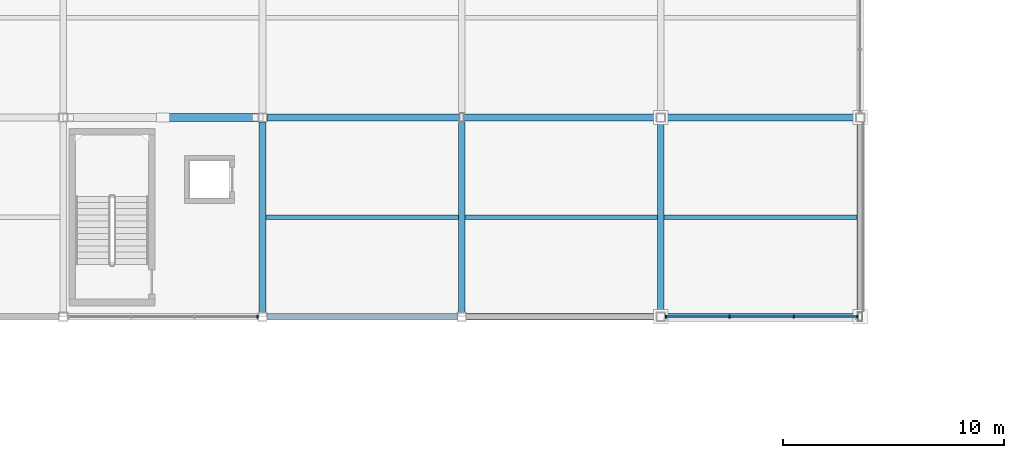
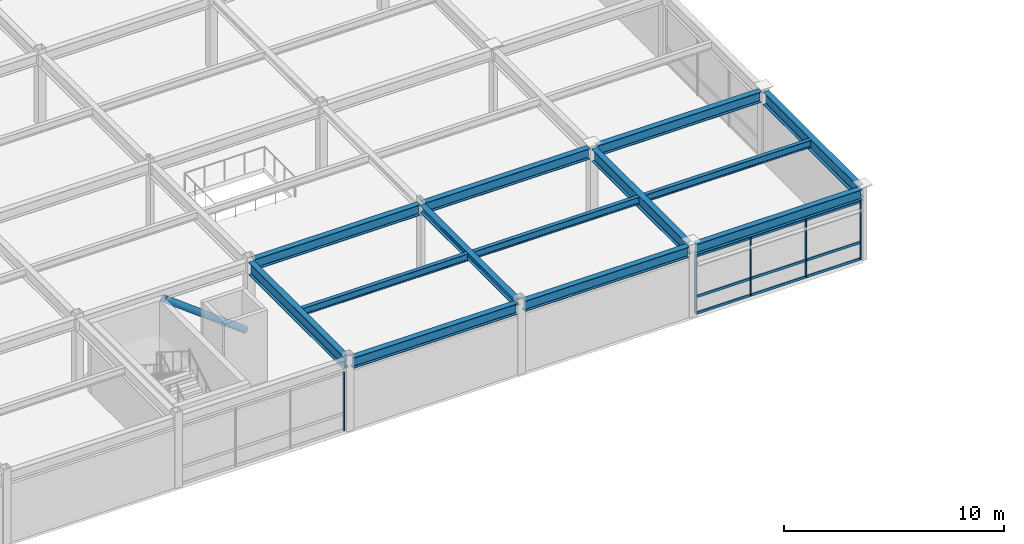
# One storey, part 28 of 70: 15 members, 13 beams, 2 elements without a shape of their own.
"""IFC4 building model written with IfcOpenShell, lengths in metres."""

import ifcopenshell
import ifcopenshell.guid

model = None  # the IFC model being written
_history = None  # IfcOwnerHistory: only IFC2X3 demands one
_inside = {}  # id of a spatial element -> (the spatial element, [elements in it])
_under = {}  # id of a project, library or spatial element -> (it, [spatial elements below it])
_declared = {}  # id of a project -> (the project, [libraries it declares])
_typed = {}  # id of a type object -> (the type object, [elements of that type])
_made_of = {}  # id of a material, layer set ... -> (it, [elements and type objects made of it])


def new_model(schema):
    """Start an empty IFC model of exactly this schema.

    Asked for "IFC4X3", IfcOpenShell would pick the latest addendum, in which some entities
    have other attributes; the version numbers below select the first issue.
    IFC2X3 requires an IfcOwnerHistory on every rooted entity: one is made here for all.
    """
    global model, _history
    if schema == "IFC4X3":
        model = ifcopenshell.file(schema_version=(4, 3, 0, 0))
    else:
        model = ifcopenshell.file(schema=schema)
    _inside.clear()
    _under.clear()
    _declared.clear()
    _typed.clear()
    _made_of.clear()
    _history = None
    if model.schema == "IFC2X3":
        org = make("IfcOrganization", Name="unknown")
        user = make(
            "IfcPersonAndOrganization",
            ThePerson=make("IfcPerson", FamilyName="unknown"),
            TheOrganization=org,
        )
        app = make(
            "IfcApplication",
            ApplicationDeveloper=org,
            Version="unknown",
            ApplicationFullName="unknown",
            ApplicationIdentifier="unknown",
        )
        _history = make(
            "IfcOwnerHistory",
            OwningUser=user,
            OwningApplication=app,
            ChangeAction="ADDED",
            CreationDate=0,
        )
    return model


def make(cls, **values):
    """One entity of the class cls with the attributes given. An attribute that is None is left unset."""
    return model.create_entity(
        cls, **{name: value for name, value in values.items() if value is not None}
    )


def rooted(cls, **values):
    """An entity with a GlobalId (a new one), such as an element, a storey or a relation."""
    return make(cls, GlobalId=ifcopenshell.guid.new(), OwnerHistory=_history, **values)


def si_unit(unit_type, name, prefix=None):
    """IfcSIUnit, for example si_unit("LENGTHUNIT", "METRE", prefix="MILLI")."""
    return make("IfcSIUnit", UnitType=unit_type, Prefix=prefix, Name=name)


def assignment(units):
    """IfcUnitAssignment: the units of a project."""
    return None if units is None else make("IfcUnitAssignment", Units=units)


def point(xyz):
    """IfcCartesianPoint."""
    return None if xyz is None else make("IfcCartesianPoint", Coordinates=xyz)


def direction(xyz):
    """IfcDirection."""
    return None if xyz is None else make("IfcDirection", DirectionRatios=xyz)


def frame(location, z_axis=None, x_axis=None):
    """IfcAxis2Placement3D, a coordinate frame: its origin and axes. An axis left out is left unset."""
    return make(
        "IfcAxis2Placement3D",
        Location=point(location),
        Axis=direction(z_axis),
        RefDirection=direction(x_axis),
    )


def frame_2d(location, x_axis=None):
    """IfcAxis2Placement2D, a coordinate frame in the plane: its origin and x axis."""
    return make(
        "IfcAxis2Placement2D", Location=point(location), RefDirection=direction(x_axis)
    )


def origin():
    """The frame at (0, 0, 0) with its axes left unset."""
    return frame((0.0, 0.0, 0.0))


def origin_2d():
    """The frame at (0, 0) in the plane with its x axis left unset."""
    return frame_2d((0.0, 0.0))


def place(relative_to, where):
    """IfcLocalPlacement: puts the frame where relative to a parent placement (None: the world)."""
    return make(
        "IfcLocalPlacement", PlacementRelTo=relative_to, RelativePlacement=where
    )


def context(
    kind, dimensions, precision=None, world=None, true_north=None, identifier=None
):
    """IfcGeometricRepresentationContext, for example the 3D "Model" context."""
    return make(
        "IfcGeometricRepresentationContext",
        ContextIdentifier=identifier,
        ContextType=kind,
        CoordinateSpaceDimension=dimensions,
        Precision=precision,
        WorldCoordinateSystem=world,
        TrueNorth=true_north,
    )


def subcontext(parent, identifier, kind, view, scale=None):
    """IfcGeometricRepresentationSubContext, for example "Body" below "Model"."""
    return make(
        "IfcGeometricRepresentationSubContext",
        ContextIdentifier=identifier,
        ContextType=kind,
        ParentContext=parent,
        TargetScale=scale,
        TargetView=view,
    )


def project(units=None, contexts=None):
    """IfcProject with its units and contexts."""
    return rooted(
        "IfcProject",
        Name="project",
        RepresentationContexts=contexts,
        UnitsInContext=assignment(units),
    )


def spatial(cls, under=None, at=None, **own):
    """A site, building, storey or space (cls), placed at a placement, below another one or the project."""
    s = rooted(cls, ObjectPlacement=at, **own)
    if under is not None:
        _under.setdefault(under.id(), (under, []))[1].append(s)
    return s


def profile(cls, at=None, kind="AREA", **sizes):
    """A parametric profile (cls). Its sizes go by their IFC names, for example OverallWidth=200.0."""
    return make(cls, ProfileType=kind, Position=at, **sizes)


def rectangle(**sizes):
    """IfcRectangleProfileDef."""
    return profile("IfcRectangleProfileDef", **sizes)


def hollow_circle(**sizes):
    """IfcCircleHollowProfileDef."""
    return profile("IfcCircleHollowProfileDef", **sizes)


def i_section(**sizes):
    """IfcIShapeProfileDef."""
    return profile("IfcIShapeProfileDef", **sizes)


def extrude(swept, where, along, depth):
    """IfcExtrudedAreaSolid: the profile swept, set in the frame where, extruded along a direction by depth."""
    return make(
        "IfcExtrudedAreaSolid",
        SweptArea=swept,
        Position=where,
        ExtrudedDirection=direction(along),
        Depth=depth,
    )


def shape(context_of_items, identifier, shape_type, items):
    """IfcShapeRepresentation: the items that make up one representation, for example the "Body"."""
    return make(
        "IfcShapeRepresentation",
        ContextOfItems=context_of_items,
        RepresentationIdentifier=identifier,
        RepresentationType=shape_type,
        Items=items,
    )


def material(Name=None, Category=None):
    """IfcMaterial."""
    return make("IfcMaterial", Name=Name, Category=Category)


def material_profile(
    of_material, cross_section, Name=None, Category=None, Priority=None
):
    """IfcMaterialProfile: a cross section and its material."""
    return make(
        "IfcMaterialProfile",
        Name=Name,
        Material=of_material,
        Profile=cross_section,
        Priority=Priority,
        Category=Category,
    )


def profile_set(profiles, Name=None, composite=None):
    """IfcMaterialProfileSet."""
    return make(
        "IfcMaterialProfileSet",
        Name=Name,
        MaterialProfiles=profiles,
        CompositeProfile=composite,
    )


def made_of(thing, what):
    """Note that an element or type object is made of a material, layer set ...; save() writes the relation."""
    if what is not None:
        _made_of.setdefault(what.id(), (what, []))[1].append(thing)
    return thing


def type_object(cls, material=None, **own):
    """A type object (cls), such as IfcWallType, which elements share."""
    return made_of(rooted(cls, **own), material)


def element(
    cls,
    number,
    at=None,
    inside=None,
    cuts=None,
    type_object=None,
    material=None,
    context=None,
    identifier="Body",
    shape_type=None,
    held_by="IfcProductDefinitionShape",
    body=None,
    shapes=None,
    **own,
):
    """One element of the class cls, such as IfcWall. Its Tag is "e" and its number.

    at: its placement. inside: the storey or other place that contains it. cuts: it is an
    opening in that element (IfcRelVoidsElement). A single representation is given by context,
    identifier, shape_type and body (its items); several are given by shapes. held_by: the class
    of the entity that holds the representations. save() writes the other relations.
    """
    e = rooted(cls, Tag="e%d" % number, ObjectPlacement=at, **own)
    if body is not None:
        shapes = [shape(context, identifier, shape_type, body)]
    if shapes is not None:
        e.Representation = make(held_by, Representations=shapes)
    if inside is not None:
        _inside.setdefault(inside.id(), (inside, []))[1].append(e)
    if cuts is not None:
        rooted(
            "IfcRelVoidsElement", RelatingBuildingElement=cuts, RelatedOpeningElement=e
        )
    if type_object is not None:
        _typed.setdefault(type_object.id(), (type_object, []))[1].append(e)
    return made_of(e, material)


def aggregate(whole, parts):
    """IfcRelAggregates: a whole, such as a stair, and the parts it consists of."""
    return rooted("IfcRelAggregates", RelatingObject=whole, RelatedObjects=parts)


def save(model, path):
    """Write the relations noted so far, then the file.

    IfcRelAggregates (storeys below a building ...), IfcRelContainedInSpatialStructure (elements
    in a storey), IfcRelDefinesByType, IfcRelAssociatesMaterial and IfcRelDeclares: one each for
    every whole, place, type object, material and project.
    """
    for whole, parts in _under.values():
        aggregate(whole, parts)
    for where, things in _inside.values():
        rooted(
            "IfcRelContainedInSpatialStructure",
            RelatedElements=things,
            RelatingStructure=where,
        )
    for kind, things in _typed.values():
        rooted("IfcRelDefinesByType", RelatedObjects=things, RelatingType=kind)
    for what, things in _made_of.values():
        rooted("IfcRelAssociatesMaterial", RelatedObjects=things, RelatingMaterial=what)
    for by, libraries in _declared.values():
        rooted("IfcRelDeclares", RelatingContext=by, RelatedDefinitions=libraries)
    model.write(path)


model = new_model("IFC4")

# Units and contexts
model_context = context("Model", 3, precision=1e-05, world=origin(), true_north=direction((0.0, 1.0)))
body_context = subcontext(model_context, "Body", "Model", "MODEL_VIEW")
ifc_project = project(units=[si_unit("LENGTHUNIT", "METRE"), si_unit("AREAUNIT", "SQUARE_METRE"), si_unit("VOLUMEUNIT", "CUBIC_METRE"), si_unit("PLANEANGLEUNIT", "RADIAN"), si_unit("MASSUNIT", "GRAM", prefix="KILO")], contexts=[model_context])

# Site, building, storey
site_placement = place(None, origin())
site = spatial("IfcSite", under=ifc_project, at=site_placement, CompositionType="ELEMENT")
building_placement = place(site_placement, origin())
building = spatial("IfcBuilding", under=site, at=building_placement, Name="Suzunagisa Mobility Hub", CompositionType="ELEMENT")
storey_placement = place(building_placement, frame((0.0, 0.0, 13.5)))
storey = spatial("IfcBuildingStorey", under=building, at=storey_placement, Name="L03", CompositionType="ELEMENT", Elevation=13.5)

# Curtain wall, members
ifc_material_1 = material(Name="Thermally Broken Anodized Aluminum and Low-E Glazing", Category="aluminium")
curtain_wall_type_1 = type_object("IfcCurtainWallType", Name="Unitised Curtain Wall CW-13 8750x3200", PredefinedType="USERDEFINED", material=ifc_material_1)
curtain_wall_1_placement = place(storey_placement, origin())
curtain_wall_1 = element("IfcCurtainWall", 1, at=curtain_wall_1_placement, inside=storey, type_object=curtain_wall_type_1, Name="L03 Unitised Curtain Wall CW-123", ObjectType="UNITISED CURTAIN WALL", PredefinedType="USERDEFINED")
ifc_material_2 = material(Name="Anodized Aluminum 6063-T6", Category="aluminium")
ifc_material_profile_1 = material_profile(ifc_material_2, rectangle(XDim=0.06494140625, YDim=0.139892578125, at=origin_2d()), Name="TRAN-65x140")
ifc_profile_set_1 = profile_set([ifc_material_profile_1], Name="Anodized Aluminum 6063-T6")
member_type_1 = type_object("IfcMemberType", Name="Curtain Wall Framing CM-01 TRAN-65x140", PredefinedType="USERDEFINED", material=ifc_profile_set_1)
member_1_placement = place(storey_placement, frame((117.258056640625, 80.0, 0.032470703125), z_axis=(1.0, 0.0, 0.0), x_axis=(0.0, 1.0, 0.0)))
member_1 = element("IfcMember", 2, at=member_1_placement, type_object=member_type_1, Name="Curtain Wall Transom 123-T1.1", ObjectType="TRANSOM", PredefinedType="USERDEFINED", context=body_context, shape_type="SweptSolid", body=[
    extrude(rectangle(XDim=0.06494140625, YDim=0.139892578125, at=origin_2d()), origin(), (0.0, 0.0, 1.0), 2.81396484375),
])
member_2_placement = place(storey_placement, frame((117.258056640625, 80.0, 0.949951171875), z_axis=(1.0, 0.0, 0.0), x_axis=(0.0, 1.0, 0.0)))
member_2 = element("IfcMember", 3, at=member_2_placement, type_object=member_type_1, Name="Curtain Wall Transom 123-T1.2", ObjectType="TRANSOM", PredefinedType="USERDEFINED", context=body_context, shape_type="SweptSolid", body=[
    extrude(rectangle(XDim=0.06494140625, YDim=0.139892578125, at=origin_2d()), origin(), (0.0, 0.0, 1.0), 2.81396484375),
])
member_3_placement = place(storey_placement, frame((117.258056640625, 80.0, 3.20751953125), z_axis=(1.0, 0.0, 0.0), x_axis=(0.0, 1.0, 0.0)))
member_3 = element("IfcMember", 4, at=member_3_placement, type_object=member_type_1, Name="Curtain Wall Transom 123-T1.3", ObjectType="TRANSOM", PredefinedType="USERDEFINED", context=body_context, shape_type="SweptSolid", body=[
    extrude(rectangle(XDim=0.06494140625, YDim=0.139892578125, at=origin_2d()), origin(), (0.0, 0.0, 1.0), 2.81396484375),
])
member_4_placement = place(storey_placement, frame((120.1279296875, 80.0, 0.032470703125), z_axis=(1.0, 0.0, 0.0), x_axis=(0.0, 1.0, 0.0)))
member_4 = element("IfcMember", 5, at=member_4_placement, type_object=member_type_1, Name="Curtain Wall Transom 123-T2.1", ObjectType="TRANSOM", PredefinedType="USERDEFINED", context=body_context, shape_type="SweptSolid", body=[
    extrude(rectangle(XDim=0.06494140625, YDim=0.139892578125, at=origin_2d()), origin(), (0.0, 0.0, 1.0), 2.843994140625),
])
member_5_placement = place(storey_placement, frame((120.1279296875, 80.0, 0.949951171875), z_axis=(1.0, 0.0, 0.0), x_axis=(0.0, 1.0, 0.0)))
member_5 = element("IfcMember", 6, at=member_5_placement, type_object=member_type_1, Name="Curtain Wall Transom 123-T2.2", ObjectType="TRANSOM", PredefinedType="USERDEFINED", context=body_context, shape_type="SweptSolid", body=[
    extrude(rectangle(XDim=0.06494140625, YDim=0.139892578125, at=origin_2d()), origin(), (0.0, 0.0, 1.0), 2.843994140625),
])
member_6_placement = place(storey_placement, frame((120.1279296875, 80.0, 3.20751953125), z_axis=(1.0, 0.0, 0.0), x_axis=(0.0, 1.0, 0.0)))
member_6 = element("IfcMember", 7, at=member_6_placement, type_object=member_type_1, Name="Curtain Wall Transom 123-T2.3", ObjectType="TRANSOM", PredefinedType="USERDEFINED", context=body_context, shape_type="SweptSolid", body=[
    extrude(rectangle(XDim=0.06494140625, YDim=0.139892578125, at=origin_2d()), origin(), (0.0, 0.0, 1.0), 2.843994140625),
])
member_7_placement = place(storey_placement, frame((123.028076171875, 80.0, 0.032470703125), z_axis=(1.0, 0.0, 0.0), x_axis=(0.0, 1.0, 0.0)))
member_7 = element("IfcMember", 8, at=member_7_placement, type_object=member_type_1, Name="Curtain Wall Transom 123-T3.1", ObjectType="TRANSOM", PredefinedType="USERDEFINED", context=body_context, shape_type="SweptSolid", body=[
    extrude(rectangle(XDim=0.06494140625, YDim=0.139892578125, at=origin_2d()), origin(), (0.0, 0.0, 1.0), 2.81396484375),
])
member_8_placement = place(storey_placement, frame((123.028076171875, 80.0, 0.949951171875), z_axis=(1.0, 0.0, 0.0), x_axis=(0.0, 1.0, 0.0)))
member_8 = element("IfcMember", 9, at=member_8_placement, type_object=member_type_1, Name="Curtain Wall Transom 123-T3.2", ObjectType="TRANSOM", PredefinedType="USERDEFINED", context=body_context, shape_type="SweptSolid", body=[
    extrude(rectangle(XDim=0.06494140625, YDim=0.139892578125, at=origin_2d()), origin(), (0.0, 0.0, 1.0), 2.81396484375),
])
member_9_placement = place(storey_placement, frame((123.028076171875, 80.0, 3.20751953125), z_axis=(1.0, 0.0, 0.0), x_axis=(0.0, 1.0, 0.0)))
member_9 = element("IfcMember", 10, at=member_9_placement, type_object=member_type_1, Name="Curtain Wall Transom 123-T3.3", ObjectType="TRANSOM", PredefinedType="USERDEFINED", context=body_context, shape_type="SweptSolid", body=[
    extrude(rectangle(XDim=0.06494140625, YDim=0.139892578125, at=origin_2d()), origin(), (0.0, 0.0, 1.0), 2.81396484375),
])

# Curtain wall, member
curtain_wall_type_2 = type_object("IfcCurtainWallType", Name="Unitised Curtain Wall CW-18 8500x3200", PredefinedType="USERDEFINED", material=ifc_material_1)
curtain_wall_2_placement = place(storey_placement, origin())
curtain_wall_2 = element("IfcCurtainWall", 11, at=curtain_wall_2_placement, inside=storey, type_object=curtain_wall_type_2, Name="L03 Unitised Curtain Wall CW-122", ObjectType="UNITISED CURTAIN WALL", PredefinedType="USERDEFINED")
ifc_material_profile_2 = material_profile(ifc_material_2, rectangle(XDim=0.06005859375, YDim=0.14990234375, at=origin_2d()), Name="MULL-60x150")
ifc_profile_set_2 = profile_set([ifc_material_profile_2], Name="Anodized Aluminum 6063-T6")
member_type_2 = type_object("IfcMemberType", Name="Curtain Wall Framing CM-03 MULL-60x150", PredefinedType="MULLION", material=ifc_profile_set_2)
member_10_placement = place(storey_placement, frame((98.77001953125, 80.0, 0.0), z_axis=(0.0, 0.0, 1.0), x_axis=(1.0, 0.0, 0.0)))
member_10 = element("IfcMember", 12, at=member_10_placement, type_object=member_type_2, Name="Curtain Wall Mullion 122-M4", PredefinedType="MULLION", context=body_context, shape_type="SweptSolid", body=[
    extrude(rectangle(XDim=0.06005859375, YDim=0.14990234375, at=origin_2d()), origin(), (0.0, 0.0, 1.0), 3.25),
])
aggregate(curtain_wall_2, [member_10])

# Member
member_11_placement = place(storey_placement, frame((117.22998046875, 80.0, 0.0), z_axis=(0.0, 0.0, 1.0), x_axis=(1.0, 0.0, 0.0)))
member_11 = element("IfcMember", 13, at=member_11_placement, type_object=member_type_2, Name="Curtain Wall Mullion 123-M1", PredefinedType="MULLION", context=body_context, shape_type="SweptSolid", body=[
    extrude(rectangle(XDim=0.06005859375, YDim=0.14990234375, at=origin_2d()), origin(), (0.0, 0.0, 1.0), 3.239990234375),
])

member_12_placement = place(storey_placement, frame((120.10009765625, 80.0, 0.0), z_axis=(0.0, 0.0, 1.0), x_axis=(1.0, 0.0, 0.0)))
member_12 = element("IfcMember", 14, at=member_12_placement, type_object=member_type_2, Name="Curtain Wall Mullion 123-M2", PredefinedType="MULLION", context=body_context, shape_type="SweptSolid", body=[
    extrude(rectangle(XDim=0.06005859375, YDim=0.14990234375, at=origin_2d()), origin(), (0.0, 0.0, 1.0), 3.239990234375),
])

member_13_placement = place(storey_placement, frame((123.0, 80.0, 0.0), z_axis=(0.0, 0.0, 1.0), x_axis=(1.0, 0.0, 0.0)))
member_13 = element("IfcMember", 15, at=member_13_placement, type_object=member_type_2, Name="Curtain Wall Mullion 123-M3", PredefinedType="MULLION", context=body_context, shape_type="SweptSolid", body=[
    extrude(rectangle(XDim=0.06005859375, YDim=0.14990234375, at=origin_2d()), origin(), (0.0, 0.0, 1.0), 3.239990234375),
])

member_14_placement = place(storey_placement, frame((125.8701171875, 80.0, 0.0), z_axis=(0.0, 0.0, 1.0), x_axis=(1.0, 0.0, 0.0)))
member_14 = element("IfcMember", 16, at=member_14_placement, type_object=member_type_2, Name="Curtain Wall Mullion 123-M4", PredefinedType="MULLION", context=body_context, shape_type="SweptSolid", body=[
    extrude(rectangle(XDim=0.06005859375, YDim=0.14990234375, at=origin_2d()), origin(), (0.0, 0.0, 1.0), 3.239990234375),
])

aggregate(curtain_wall_1, [member_11, member_12, member_13, member_14, member_1, member_2, member_3, member_4, member_5, member_6, member_7, member_8, member_9])

ifc_material_3 = material(Name="Steel SN490B", Category="steel")
ifc_material_profile_3 = material_profile(ifc_material_3, hollow_circle(Radius=0.177734375, WallThickness=0.0126953125, at=origin_2d()), Name="CHS-355.6x12.7")
ifc_profile_set_3 = profile_set([ifc_material_profile_3], Name="Steel SN490B")
member_type_3 = type_object("IfcMemberType", Name="Roof Truss and Brace Member MB-03 CHS-355.6x12.7", PredefinedType="BRACE", material=ifc_profile_set_3)
member_15_placement = place(storey_placement, frame((98.780029296875, 89.0, 0.1201171875), z_axis=(-0.798406843129, 0.0, 0.602118354516), x_axis=(0.0, -1.0, 0.0)))
element("IfcMember", 17, at=member_15_placement, inside=storey, type_object=member_type_3, Name="L03 Concentric Lateral Brace BR-46", PredefinedType="BRACE", context=body_context, shape_type="SweptSolid", body=[
    extrude(hollow_circle(Radius=0.177734375, WallThickness=0.0126953125, at=origin_2d()), origin(), (0.0, 0.0, 1.0), 5.360595703125),
])

# Beams
ifc_material_profile_4 = material_profile(ifc_material_3, i_section(OverallWidth=0.300048828125, OverallDepth=0.699951171875, WebThickness=0.012939453125, FlangeThickness=0.02392578125, FilletRadius=0.01806640625, at=origin_2d()), Name="H-700x300x13x24")
ifc_profile_set_4 = profile_set([ifc_material_profile_4], Name="Steel SN490B")
beam_type_1 = type_object("IfcBeamType", Name="Steel Beam BM-11 H-700x300x13x24", PredefinedType="BEAM", material=ifc_profile_set_4)
for number, where, z_axis, x_axis, name in (
    (18, (99.0, 80.196044921875, 3.60009765625), (0.0, 1.0, 0.0), (-1.0, 0.0, 0.0), "L03 Primary Girder GY-1087"),
    (19, (117.0, 80.196044921875, 3.590087890625), (0.0, 1.0, 0.0), (-1.0, 0.0, 0.0), "L03 Primary Girder GY-1128"),
    (20, (126.0, 80.196044921875, 3.590087890625), (0.0, 1.0, 0.0), (-1.0, 0.0, 0.0), "L03 Primary Girder GY-1132"),
):
    element("IfcBeam", number, at=place(storey_placement, frame(where, z_axis=z_axis, x_axis=x_axis)), inside=storey, type_object=beam_type_1, Name=name, PredefinedType="BEAM", context=body_context, shape_type="SweptSolid", body=[
        extrude(i_section(OverallWidth=0.300048828125, OverallDepth=0.699951171875, WebThickness=0.012939453125, FlangeThickness=0.02392578125, FilletRadius=0.01806640625, at=origin_2d()), origin(), (0.0, 0.0, 1.0), 8.60791015625),
    ])
ifc_material_profile_5 = material_profile(ifc_material_3, i_section(OverallWidth=0.300048828125, OverallDepth=0.389892578125, WebThickness=0.010009765625, FlangeThickness=0.01611328125, FilletRadius=0.012939453125, at=origin_2d()), Name="H-390x300x10x16")
ifc_profile_set_5 = profile_set([ifc_material_profile_5], Name="Steel SN490B")
beam_type_2 = type_object("IfcBeamType", Name="Steel Beam BM-13 H-390x300x10x16", PredefinedType="SPANDREL", material=ifc_profile_set_5)
beam_1_placement = place(storey_placement, frame((108.0, 80.196044921875, 3.7451171875), z_axis=(0.0, 1.0, 0.0), x_axis=(-1.0, 0.0, 0.0)))
element("IfcBeam", 21, at=beam_1_placement, inside=storey, type_object=beam_type_2, Name="L03 Primary Girder GY-1091", PredefinedType="SPANDREL", context=body_context, shape_type="SweptSolid", body=[
    extrude(i_section(OverallWidth=0.300048828125, OverallDepth=0.389892578125, WebThickness=0.010009765625, FlangeThickness=0.01611328125, FilletRadius=0.012939453125, at=origin_2d()), origin(), (0.0, 0.0, 1.0), 8.60791015625),
])
ifc_material_4 = material(Name="Steel SN400B", Category="steel")
ifc_material_profile_6 = material_profile(ifc_material_4, i_section(OverallWidth=0.199951171875, OverallDepth=0.39990234375, WebThickness=0.008056640625, FlangeThickness=0.012939453125, FilletRadius=0.012939453125, at=origin_2d()), Name="H-400x200x8x13")
ifc_profile_set_6 = profile_set([ifc_material_profile_6], Name="Steel SN400B")
beam_type_3 = type_object("IfcBeamType", Name="Steel Beam BM-14 H-400x200x8x13", PredefinedType="JOIST", material=ifc_profile_set_6)
for number, where, z_axis, x_axis, name in (
    (22, (99.14990234375, 84.5, 3.739990234375), (1.0, 0.0, 0.0), (0.0, 1.0, 0.0), "L03 Composite Floor Joist J-1115"),
    (23, (108.14990234375, 84.5, 3.739990234375), (1.0, 0.0, 0.0), (0.0, 1.0, 0.0), "L03 Composite Floor Joist J-1136"),
    (24, (117.14990234375, 84.5, 3.739990234375), (1.0, 0.0, 0.0), (0.0, 1.0, 0.0), "L03 Composite Floor Joist J-1140"),
):
    element("IfcBeam", number, at=place(storey_placement, frame(where, z_axis=z_axis, x_axis=x_axis)), inside=storey, type_object=beam_type_3, Name=name, PredefinedType="JOIST", context=body_context, shape_type="SweptSolid", body=[
        extrude(i_section(OverallWidth=0.199951171875, OverallDepth=0.39990234375, WebThickness=0.008056640625, FlangeThickness=0.012939453125, FilletRadius=0.012939453125, at=origin_2d()), origin(), (0.0, 0.0, 1.0), 8.7001953125),
    ])
ifc_material_profile_7 = material_profile(ifc_material_3, i_section(OverallWidth=0.300048828125, OverallDepth=0.587890625, WebThickness=0.011962890625, FlangeThickness=0.02001953125, FilletRadius=0.012939453125, at=origin_2d()), Name="H-588x300x12x20")
ifc_profile_set_7 = profile_set([ifc_material_profile_7], Name="Steel SN490B")
beam_type_4 = type_object("IfcBeamType", Name="Steel Beam BM-16 H-588x300x12x20", PredefinedType="BEAM", material=ifc_profile_set_7)
beam_2_placement = place(storey_placement, frame((99.196044921875, 80.0, 3.64599609375), z_axis=(1.0, 0.0, 0.0), x_axis=(0.0, 1.0, 0.0)))
element("IfcBeam", 25, at=beam_2_placement, inside=storey, type_object=beam_type_4, Name="L03 Primary Girder GX-1034", PredefinedType="BEAM", context=body_context, shape_type="SweptSolid", body=[
    extrude(i_section(OverallWidth=0.300048828125, OverallDepth=0.587890625, WebThickness=0.011962890625, FlangeThickness=0.02001953125, FilletRadius=0.012939453125, at=origin_2d()), origin(), (0.0, 0.0, 1.0), 8.60791015625),
])
beam_3_placement = place(storey_placement, frame((99.196044921875, 89.0, 3.64599609375), z_axis=(1.0, 0.0, 0.0), x_axis=(0.0, 1.0, 0.0)))
element("IfcBeam", 26, at=beam_3_placement, inside=storey, type_object=beam_type_4, Name="L03 Primary Girder GX-1041", PredefinedType="BEAM", context=body_context, shape_type="SweptSolid", body=[
    extrude(i_section(OverallWidth=0.300048828125, OverallDepth=0.587890625, WebThickness=0.011962890625, FlangeThickness=0.02001953125, FilletRadius=0.012939453125, at=origin_2d()), origin(), (0.0, 0.0, 1.0), 8.7080078125),
])
beam_4_placement = place(storey_placement, frame((108.196044921875, 80.0, 3.64599609375), z_axis=(1.0, 0.0, 0.0), x_axis=(0.0, 1.0, 0.0)))
element("IfcBeam", 27, at=beam_4_placement, inside=storey, type_object=beam_type_4, Name="L03 Primary Girder GX-1119", PredefinedType="BEAM", context=body_context, shape_type="SweptSolid", body=[
    extrude(i_section(OverallWidth=0.300048828125, OverallDepth=0.587890625, WebThickness=0.011962890625, FlangeThickness=0.02001953125, FilletRadius=0.012939453125, at=origin_2d()), origin(), (0.0, 0.0, 1.0), 8.60791015625),
])
for number, where, z_axis, x_axis, name in (
    (28, (117.196044921875, 80.0, 3.64599609375), (1.0, 0.0, 0.0), (0.0, 1.0, 0.0), "L03 Primary Girder GX-1120"),
    (29, (108.095947265625, 89.0, 3.64599609375), (1.0, 0.0, 0.0), (0.0, 1.0, 0.0), "L03 Primary Girder GX-1121"),
):
    element("IfcBeam", number, at=place(storey_placement, frame(where, z_axis=z_axis, x_axis=x_axis)), inside=storey, type_object=beam_type_4, Name=name, PredefinedType="BEAM", context=body_context, shape_type="SweptSolid", body=[
        extrude(i_section(OverallWidth=0.300048828125, OverallDepth=0.587890625, WebThickness=0.011962890625, FlangeThickness=0.02001953125, FilletRadius=0.012939453125, at=origin_2d()), origin(), (0.0, 0.0, 1.0), 8.7080078125),
    ])
beam_5_placement = place(storey_placement, frame((117.196044921875, 89.0, 3.64599609375), z_axis=(1.0, 0.0, 0.0), x_axis=(0.0, 1.0, 0.0)))
element("IfcBeam", 30, at=beam_5_placement, inside=storey, type_object=beam_type_4, Name="L03 Primary Girder GX-1122", PredefinedType="BEAM", context=body_context, shape_type="SweptSolid", body=[
    extrude(i_section(OverallWidth=0.300048828125, OverallDepth=0.587890625, WebThickness=0.011962890625, FlangeThickness=0.02001953125, FilletRadius=0.012939453125, at=origin_2d()), origin(), (0.0, 0.0, 1.0), 8.60791015625),
])

save(model, "model.ifc")
